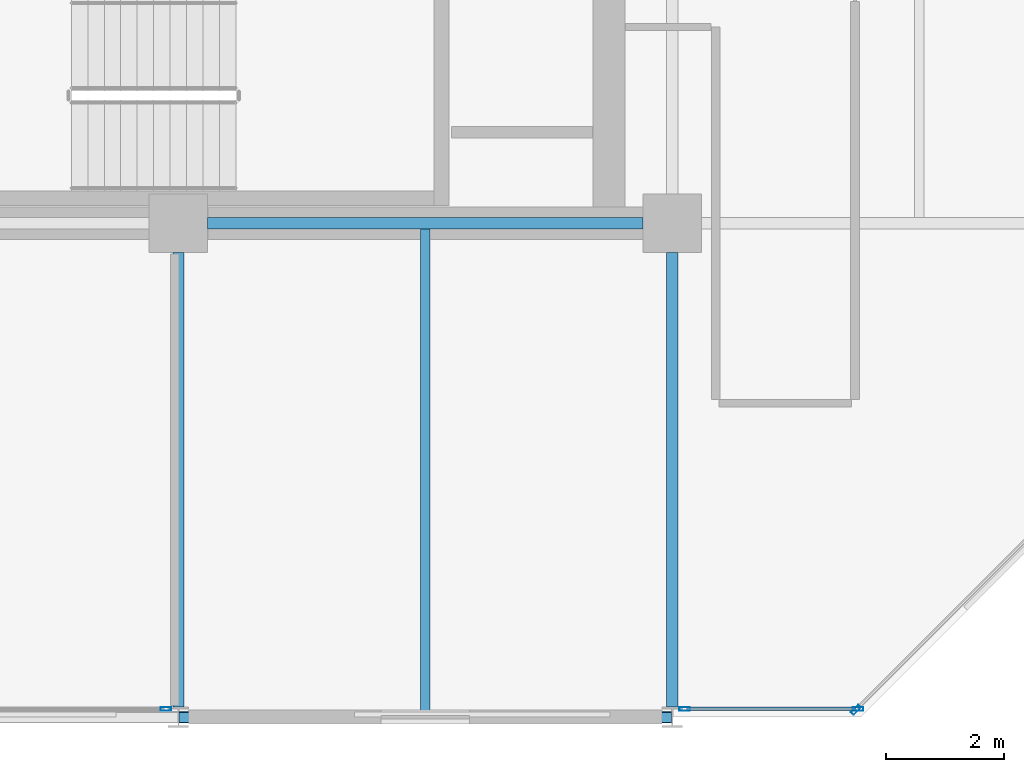
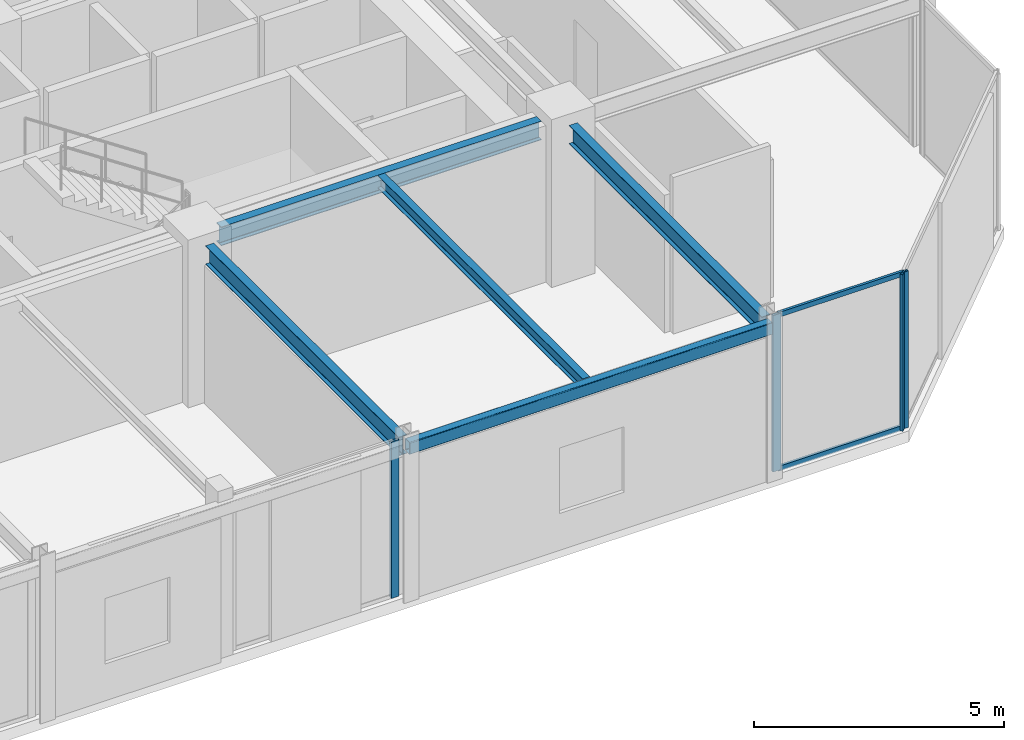
# One storey, part 11 of 29: 6 members, 5 beams, 3 elements without a shape of their own.
"""IFC4 building model written with IfcOpenShell, lengths in metres."""

from ifc_helpers import new_model, si_unit, direction, frame, origin, origin_2d, place, context, subcontext, project, spatial, hollow_rectangle, i_section, extrude, material, layer, layer_set, material_profile, profile_set, type_object, element, aggregate, save


model = new_model("IFC4")

# Units and contexts
model_context = context("Model", 3, precision=1e-05, world=origin(), true_north=direction((0.0, 1.0)))
body_context = subcontext(model_context, "Body", "Model", "MODEL_VIEW")
ifc_project = project(units=[si_unit("LENGTHUNIT", "METRE"), si_unit("AREAUNIT", "SQUARE_METRE"), si_unit("VOLUMEUNIT", "CUBIC_METRE"), si_unit("PLANEANGLEUNIT", "RADIAN"), si_unit("MASSUNIT", "GRAM", prefix="KILO")], contexts=[model_context])

# Site, building, storey
site_placement = place(None, origin())
site = spatial("IfcSite", under=ifc_project, at=site_placement, CompositionType="ELEMENT")
building_placement = place(site_placement, origin())
building = spatial("IfcBuilding", under=site, at=building_placement, Name="Nerrivon Quay Data Exchange", CompositionType="ELEMENT")
storey_placement = place(building_placement, frame((0.0, 0.0, 183.699951171875)))
storey = spatial("IfcBuildingStorey", under=building, at=storey_placement, Name="L43", CompositionType="ELEMENT", Elevation=183.699951171875)

# Beams
ifc_material_1 = material(Name="Steel Grade 350", Category="steel")
ifc_material_profile_1 = material_profile(ifc_material_1, i_section(OverallWidth=0.19091796875, OverallDepth=0.4599609375, WebThickness=0.010009765625, FlangeThickness=0.01611328125, FilletRadius=0.011474609375, at=origin_2d()), Name="460UB82.1")
ifc_profile_set_1 = profile_set([ifc_material_profile_1], Name="Steel Grade 350")
beam_type_1 = type_object("IfcBeamType", Name="BM-G5-460UB82", PredefinedType="BEAM", material=ifc_profile_set_1)
beam_1_placement = place(storey_placement, frame((25.699951171875, 8.39990234375, 3.594970703125), z_axis=(1.0, 0.0, 0.0), x_axis=(0.0, 1.0, 0.0)))
element("IfcBeam", 1, at=beam_1_placement, inside=storey, type_object=beam_type_1, Name="L43 EW Girder Y=8.4 (25.2..33.6)", PredefinedType="BEAM", context=body_context, shape_type="SweptSolid", body=[
    extrude(i_section(OverallWidth=0.19091796875, OverallDepth=0.4599609375, WebThickness=0.010009765625, FlangeThickness=0.01611328125, FilletRadius=0.011474609375, at=origin_2d()), origin(), (0.0, 0.0, 1.0), 7.400146484375),
])
ifc_material_profile_2 = material_profile(ifc_material_1, i_section(OverallWidth=0.18994140625, OverallDepth=0.4541015625, WebThickness=0.008544921875, FlangeThickness=0.0126953125, FilletRadius=0.011474609375, at=origin_2d()), Name="460UB67.1")
ifc_profile_set_2 = profile_set([ifc_material_profile_2], Name="Steel Grade 350")
beam_type_2 = type_object("IfcBeamType", Name="BM-G6-460UB67", PredefinedType="BEAM", material=ifc_profile_set_2)
for number, where, z_axis, x_axis, name in (
    (2, (25.199951171875, 0.175048828125, 3.59814453125), (0.0, 1.0, 0.0), (-1.0, 0.0, 0.0), "L43 NS Girder X=25.2 (0.0..8.4)"),
    (3, (33.60009765625, 0.175048828125, 3.59814453125), (0.0, 1.0, 0.0), (-1.0, 0.0, 0.0), "L43 NS Girder X=33.6 (0.0..8.4)"),
):
    element("IfcBeam", number, at=place(storey_placement, frame(where, z_axis=z_axis, x_axis=x_axis)), inside=storey, type_object=beam_type_2, Name=name, PredefinedType="BEAM", context=body_context, shape_type="SweptSolid", body=[
        extrude(i_section(OverallWidth=0.18994140625, OverallDepth=0.4541015625, WebThickness=0.008544921875, FlangeThickness=0.0126953125, FilletRadius=0.011474609375, at=origin_2d()), origin(), (0.0, 0.0, 1.0), 7.724853515625),
    ])
ifc_material_profile_3 = material_profile(ifc_material_1, i_section(OverallWidth=0.166015625, OverallDepth=0.306884765625, WebThickness=0.006591796875, FlangeThickness=0.01171875, FilletRadius=0.011474609375, at=origin_2d()), Name="310UB46.2")
ifc_profile_set_3 = profile_set([ifc_material_profile_3], Name="Steel Grade 350")
beam_type_3 = type_object("IfcBeamType", Name="BM-J5-310UB46", PredefinedType="JOIST", material=ifc_profile_set_3)
beam_2_placement = place(storey_placement, frame((29.39990234375, 0.10009765625, 3.671630859375), z_axis=(0.0, 1.0, 0.0), x_axis=(-1.0, 0.0, 0.0)))
element("IfcBeam", 4, at=beam_2_placement, inside=storey, type_object=beam_type_3, Name="L43 Secondary Joist X=29.4 (0.0..8.4)", PredefinedType="JOIST", context=body_context, shape_type="SweptSolid", body=[
    extrude(i_section(OverallWidth=0.166015625, OverallDepth=0.306884765625, WebThickness=0.006591796875, FlangeThickness=0.01171875, FilletRadius=0.011474609375, at=origin_2d()), origin(), (0.0, 0.0, 1.0), 8.204345703125),
])
ifc_material_2 = material(Name="Steel Grade C350L0 (350 MPa)", Category="steel")
ifc_material_profile_4 = material_profile(ifc_material_2, hollow_rectangle(XDim=0.199951171875, YDim=0.300048828125, WallThickness=0.012451171875, InnerFilletRadius=0.018798828125, OuterFilletRadius=0.03125, at=origin_2d()), Name="300x200x12.5RHS")
ifc_profile_set_4 = profile_set([ifc_material_profile_4], Name="Steel Grade C350L0 (350 MPa)")
beam_type_4 = type_object("IfcBeamType", Name="BM-SP3-300x200RHS", PredefinedType="SPANDREL", material=ifc_profile_set_4)
beam_3_placement = place(storey_placement, frame((25.2099609375, 0.0, 3.675048828125), z_axis=(1.0, 0.0, 0.0), x_axis=(0.0, 1.0, 0.0)))
element("IfcBeam", 5, at=beam_3_placement, inside=storey, type_object=beam_type_4, Name="L43 EW Girder Y=0.0 (25.2..33.6)", PredefinedType="SPANDREL", context=body_context, shape_type="SweptSolid", body=[
    extrude(hollow_rectangle(XDim=0.199951171875, YDim=0.300048828125, WallThickness=0.012451171875, InnerFilletRadius=0.018798828125, OuterFilletRadius=0.03125, at=origin_2d()), origin(), (0.0, 0.0, 1.0), 8.380126953125),
])

# Curtain wall, member
ifc_material_3 = material(Name="Anodised aluminium 6063-T6", Category="aluminium")
ifc_layer = layer(ifc_material_3, 0.195068359375)
ifc_layer_set = layer_set([ifc_layer], Name="Anodised aluminium 6063-T6")
curtain_wall_type = type_object("IfcCurtainWallType", Name="CW-SYS-06", PredefinedType="NOTDEFINED", material=ifc_layer_set)
curtain_wall_1_placement = place(storey_placement, origin())
curtain_wall_1 = element("IfcCurtainWall", 6, at=curtain_wall_1_placement, inside=storey, type_object=curtain_wall_type, Name="L43 Unitised Curtain Wall 21", PredefinedType="NOTDEFINED")
ifc_material_profile_5 = material_profile(ifc_material_3, hollow_rectangle(XDim=0.06494140625, YDim=0.179931640625, WallThickness=0.00341796875, at=origin_2d()), Name="ALU-MULL-180x65")
ifc_profile_set_5 = profile_set([ifc_material_profile_5], Name="Anodised aluminium 6063-T6")
member_type_1 = type_object("IfcMemberType", Name="CWM-180x65", PredefinedType="MULLION", material=ifc_profile_set_5)
member_1_placement = place(storey_placement, frame((36.7275390625, 0.12548828125, 0.0), z_axis=(0.0, 0.0, 1.0), x_axis=(0.707106781187, -0.707106781187, 0.0)))
member_1 = element("IfcMember", 7, at=member_1_placement, type_object=member_type_1, Name="CW06 mullion 2", PredefinedType="MULLION", context=body_context, shape_type="SweptSolid", body=[
    extrude(hollow_rectangle(XDim=0.06494140625, YDim=0.179931640625, WallThickness=0.00341796875, at=origin_2d()), origin(), (0.0, 0.0, 1.0), 3.824951171875),
])
aggregate(curtain_wall_1, [member_1])

# Curtain wall, members
curtain_wall_2_placement = place(storey_placement, origin())
curtain_wall_2 = element("IfcCurtainWall", 8, at=curtain_wall_2_placement, inside=storey, type_object=curtain_wall_type, Name="L43 Unitised Curtain Wall 22", PredefinedType="NOTDEFINED")
member_2_placement = place(storey_placement, frame((36.762451171875, 0.139892578125, 0.0), z_axis=(0.0, 0.0, 1.0), x_axis=(0.0, -1.0, 0.0)))
member_2 = element("IfcMember", 9, at=member_2_placement, type_object=member_type_1, Name="CW06 mullion 1", PredefinedType="MULLION", context=body_context, shape_type="SweptSolid", body=[
    extrude(hollow_rectangle(XDim=0.06494140625, YDim=0.179931640625, WallThickness=0.00341796875, at=origin_2d()), origin(), (0.0, 0.0, 1.0), 3.824951171875),
])
member_3_placement = place(storey_placement, frame((33.8125, 0.139892578125, 0.0), z_axis=(0.0, 0.0, 1.0), x_axis=(0.0, -1.0, 0.0)))
member_3 = element("IfcMember", 10, at=member_3_placement, type_object=member_type_1, Name="CW06 mullion 2", PredefinedType="MULLION", context=body_context, shape_type="SweptSolid", body=[
    extrude(hollow_rectangle(XDim=0.06494140625, YDim=0.179931640625, WallThickness=0.00341796875, at=origin_2d()), origin(), (0.0, 0.0, 1.0), 3.824951171875),
])

# Curtain wall, member
curtain_wall_3_placement = place(storey_placement, origin())
curtain_wall_3 = element("IfcCurtainWall", 11, at=curtain_wall_3_placement, inside=storey, type_object=curtain_wall_type, Name="L43 Unitised Curtain Wall 24", PredefinedType="NOTDEFINED")
member_4_placement = place(storey_placement, frame((24.987548828125, 0.139892578125, 0.0), z_axis=(0.0, 0.0, 1.0), x_axis=(0.0, -1.0, 0.0)))
member_4 = element("IfcMember", 12, at=member_4_placement, type_object=member_type_1, Name="CW06 mullion 1", PredefinedType="MULLION", context=body_context, shape_type="SweptSolid", body=[
    extrude(hollow_rectangle(XDim=0.06494140625, YDim=0.179931640625, WallThickness=0.00341796875, at=origin_2d()), origin(), (0.0, 0.0, 1.0), 3.824951171875),
])
aggregate(curtain_wall_3, [member_4])

# Member
ifc_material_profile_6 = material_profile(ifc_material_3, hollow_rectangle(XDim=0.06005859375, YDim=0.1201171875, WallThickness=0.003173828125, at=origin_2d()), Name="ALU-TRAN-120x60")
ifc_profile_set_6 = profile_set([ifc_material_profile_6], Name="Anodised aluminium 6063-T6")
member_type_2 = type_object("IfcMemberType", Name="CWT-120x60", PredefinedType="USERDEFINED", material=ifc_profile_set_6)
member_5_placement = place(storey_placement, frame((36.72509765625, 0.139892578125, 0.032470703125), z_axis=(-1.0, 0.0, 0.0), x_axis=(0.0, -1.0, 0.0)))
member_5 = element("IfcMember", 13, at=member_5_placement, type_object=member_type_2, Name="CW06 transom 1.1", ObjectType="TRANSOM", PredefinedType="USERDEFINED", context=body_context, shape_type="SweptSolid", body=[
    extrude(hollow_rectangle(XDim=0.06005859375, YDim=0.1201171875, WallThickness=0.003173828125, at=origin_2d()), origin(), (0.0, 0.0, 1.0), 2.875),
])

member_6_placement = place(storey_placement, frame((36.72509765625, 0.139892578125, 3.79248046875), z_axis=(-1.0, 0.0, 0.0), x_axis=(0.0, -1.0, 0.0)))
member_6 = element("IfcMember", 14, at=member_6_placement, type_object=member_type_2, Name="CW06 transom 1.2", ObjectType="TRANSOM", PredefinedType="USERDEFINED", context=body_context, shape_type="SweptSolid", body=[
    extrude(hollow_rectangle(XDim=0.06005859375, YDim=0.1201171875, WallThickness=0.003173828125, at=origin_2d()), origin(), (0.0, 0.0, 1.0), 2.875),
])

aggregate(curtain_wall_2, [member_2, member_3, member_5, member_6])

save(model, "model.ifc")
